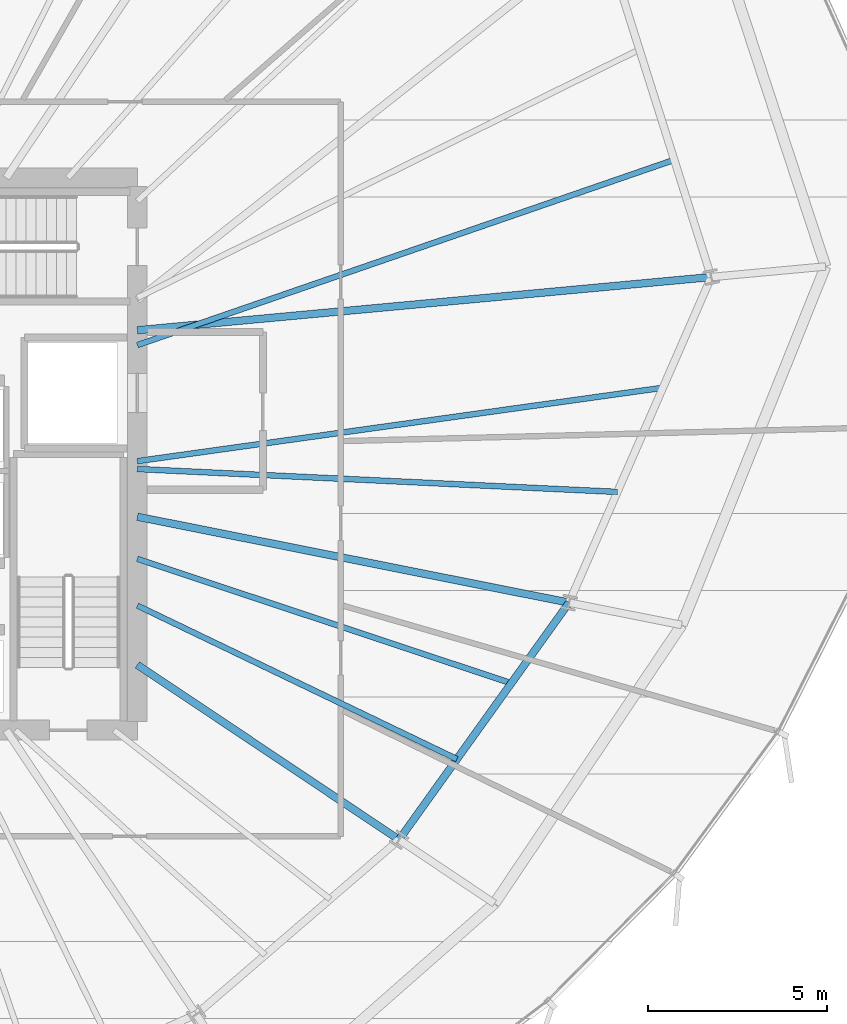
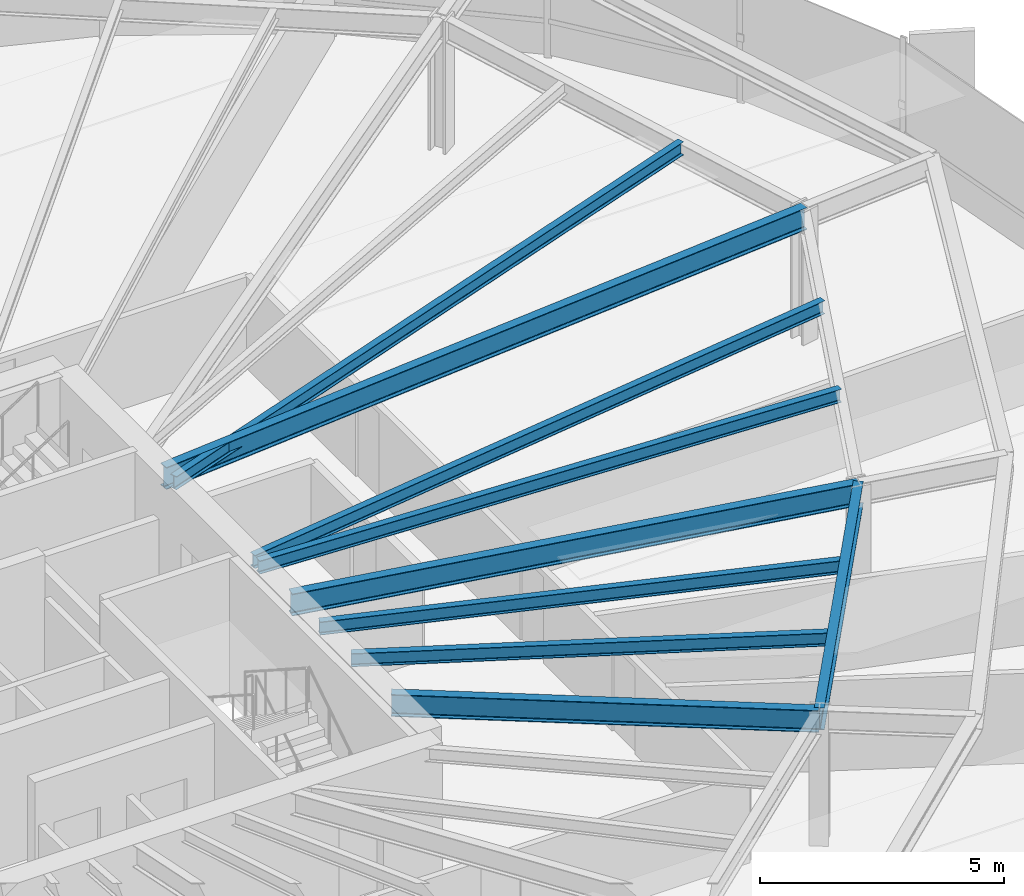
# One storey, part 15 of 35: 9 beams.
"""IFC4 building model written with IfcOpenShell, lengths in metres."""

from ifc_helpers import new_model, si_unit, direction, frame, origin, origin_2d, place, context, subcontext, project, spatial, i_section, extrude, source, transform, mapped, material, material_profile, profile_set, type_object, element, save


model = new_model("IFC4")

# Units and contexts
model_context = context("Model", 3, precision=1e-05, world=origin(), true_north=direction((0.0, 1.0)))
body_context = subcontext(model_context, "Body", "Model", "MODEL_VIEW")
ifc_project = project(units=[si_unit("LENGTHUNIT", "METRE"), si_unit("AREAUNIT", "SQUARE_METRE"), si_unit("VOLUMEUNIT", "CUBIC_METRE"), si_unit("PLANEANGLEUNIT", "RADIAN"), si_unit("MASSUNIT", "GRAM", prefix="KILO"), si_unit("THERMODYNAMICTEMPERATUREUNIT", "KELVIN")], contexts=[model_context])

# Site, building, storey
site_placement = place(None, origin())
site = spatial("IfcSite", under=ifc_project, at=site_placement, CompositionType="ELEMENT")
building_placement = place(site_placement, origin())
building = spatial("IfcBuilding", under=site, at=building_placement, Name="Kethvar Cultural Tower", CompositionType="ELEMENT")
storey_placement = place(building_placement, frame((0.0, 0.0, 103.60009765625)))
storey = spatial("IfcBuildingStorey", under=building, at=storey_placement, Name="L25", CompositionType="ELEMENT", Elevation=103.60009765625)

# Beams
ifc_material = material(Name="Steel S355J2", Category="steel")
ifc_material_profile_1 = material_profile(ifc_material, i_section(OverallWidth=0.2099609375, OverallDepth=0.550048828125, WebThickness=0.010986328125, FlangeThickness=0.01708984375, FilletRadius=0.02392578125, at=origin_2d()), Name="Steel S355J2 — IPE550")
ifc_profile_set_1 = profile_set([ifc_material_profile_1], Name="Steel S355J2 — IPE550")
beam_type_1 = type_object("IfcBeamType", Name="BM-IPE550", PredefinedType="BEAM", material=ifc_profile_set_1)
shared_shape_1 = source(origin(), body_context, "Body", "SweptSolid", [
    extrude(i_section(OverallWidth=0.2099609375, OverallDepth=0.550048828125, WebThickness=0.010986328125, FlangeThickness=0.01708984375, FilletRadius=0.02392578125, at=origin_2d()), origin(), (0.0, 0.0, 1.0), 16.071044921875),
])
beam_1_placement = place(storey_placement, frame((55.60009765625, 31.25, 3.072998046875), z_axis=(0.995731009363, 0.092302529718, 0.0), x_axis=(-0.092302529718, 0.995731009363, 0.0)))
element("IfcBeam", 1, at=beam_1_placement, inside=storey, type_object=beam_type_1, Name="L25 Primary Radial Beam RB-01", PredefinedType="BEAM", context=body_context, shape_type="MappedRepresentation", body=[
    mapped(shared_shape_1, transform((0.0, 0.0, 0.0), scale=1.0)),
])
shared_shape_2 = source(origin(), body_context, "Body", "SweptSolid", [
    extrude(i_section(OverallWidth=0.2099609375, OverallDepth=0.550048828125, WebThickness=0.010986328125, FlangeThickness=0.01708984375, FilletRadius=0.02392578125, at=origin_2d()), origin(), (0.0, 0.0, 1.0), 8.77783203125),
])
beam_2_placement = place(storey_placement, frame((55.60009765625, 21.919921875, 3.072998046875), z_axis=(0.831472186778, -0.555566380026, 0.0), x_axis=(0.555566380026, 0.831472186778, 0.0)))
element("IfcBeam", 2, at=beam_2_placement, inside=storey, type_object=beam_type_1, Name="L25 Primary Radial Beam RB-15", PredefinedType="BEAM", context=body_context, shape_type="MappedRepresentation", body=[
    mapped(shared_shape_2, transform((0.0, 0.0, 0.0), scale=1.0)),
])
shared_shape_3 = source(origin(), body_context, "Body", "SweptSolid", [
    extrude(i_section(OverallWidth=0.2099609375, OverallDepth=0.550048828125, WebThickness=0.010986328125, FlangeThickness=0.01708984375, FilletRadius=0.02392578125, at=origin_2d()), origin(), (0.0, 0.0, 1.0), 12.2744140625),
])
beam_3_placement = place(storey_placement, frame((55.60009765625, 26.049560546875, 3.072998046875), z_axis=(0.980782878234, -0.195102398146, 0.0), x_axis=(0.195102398146, 0.980782878234, 0.0)))
element("IfcBeam", 3, at=beam_3_placement, inside=storey, type_object=beam_type_1, Name="L25 Primary Radial Beam RB-16", PredefinedType="BEAM", context=body_context, shape_type="MappedRepresentation", body=[
    mapped(shared_shape_3, transform((0.0, 0.0, 0.0), scale=1.0)),
])
ifc_material_profile_2 = material_profile(ifc_material, i_section(OverallWidth=0.159912109375, OverallDepth=0.330078125, WebThickness=0.007568359375, FlangeThickness=0.011474609375, FilletRadius=0.01806640625, at=origin_2d()), Name="Steel S355J2 — IPE330")
ifc_profile_set_2 = profile_set([ifc_material_profile_2], Name="Steel S355J2 — IPE330")
beam_type_2 = type_object("IfcBeamType", Name="BM-J330", PredefinedType="JOIST", material=ifc_profile_set_2)
shared_shape_4 = source(origin(), body_context, "Body", "SweptSolid", [
    extrude(i_section(OverallWidth=0.159912109375, OverallDepth=0.330078125, WebThickness=0.007568359375, FlangeThickness=0.011474609375, FilletRadius=0.01806640625, at=origin_2d()), origin(), (0.0, 0.0, 1.0), 15.836669921875),
])
beam_4_placement = place(storey_placement, frame((55.60009765625, 30.836181640625, 3.182861328125), z_axis=(0.945315135904, 0.326158387644, 0.0), x_axis=(-0.326158387644, 0.945315135904, 0.0)))
element("IfcBeam", 4, at=beam_4_placement, inside=storey, type_object=beam_type_2, Name="L25 Composite Floor Joist J-01A", PredefinedType="JOIST", context=body_context, shape_type="MappedRepresentation", body=[
    mapped(shared_shape_4, transform((0.0, 0.0, 0.0), scale=1.0)),
])
shared_shape_5 = source(origin(), body_context, "Body", "SweptSolid", [
    extrude(i_section(OverallWidth=0.2099609375, OverallDepth=0.550048828125, WebThickness=0.010986328125, FlangeThickness=0.01708984375, FilletRadius=0.02392578125, at=origin_2d()), origin(), (0.0, 0.0, 1.0), 8.13525390625),
])
beam_5_placement = place(storey_placement, frame((62.898681640625, 17.043212890625, 3.072998046875), z_axis=(0.582656731995, 0.812718359988, 0.0), x_axis=(-0.812718359988, 0.582656731995, 0.0)))
element("IfcBeam", 5, at=beam_5_placement, inside=storey, type_object=beam_type_1, Name="L25 Column Ring Tie Beam CR-15", PredefinedType="BEAM", context=body_context, shape_type="MappedRepresentation", body=[
    mapped(shared_shape_5, transform((0.0, 0.0, 0.0), scale=1.0)),
])
shared_shape_6 = source(origin(), body_context, "Body", "SweptSolid", [
    extrude(i_section(OverallWidth=0.159912109375, OverallDepth=0.330078125, WebThickness=0.007568359375, FlangeThickness=0.011474609375, FilletRadius=0.01806640625, at=origin_2d()), origin(), (0.0, 0.0, 1.0), 9.885009765625),
])
beam_6_placement = place(storey_placement, frame((55.60009765625, 23.572021484375, 3.182861328125), z_axis=(0.901369611334, -0.43305060185, 0.0), x_axis=(0.43305060185, 0.901369611334, 0.0)))
element("IfcBeam", 6, at=beam_6_placement, inside=storey, type_object=beam_type_2, Name="L25 Composite Floor Joist J-15A", PredefinedType="JOIST", context=body_context, shape_type="MappedRepresentation", body=[
    mapped(shared_shape_6, transform((0.0, 0.0, 0.0), scale=1.0)),
])
shared_shape_7 = source(origin(), body_context, "Body", "SweptSolid", [
    extrude(i_section(OverallWidth=0.159912109375, OverallDepth=0.330078125, WebThickness=0.007568359375, FlangeThickness=0.011474609375, FilletRadius=0.01806640625, at=origin_2d()), origin(), (0.0, 0.0, 1.0), 10.98828125),
])
beam_7_placement = place(storey_placement, frame((55.60009765625, 24.8740234375, 3.182861328125), z_axis=(0.948918548228, -0.315521138481, 0.0), x_axis=(0.315521138481, 0.948918548228, 0.0)))
element("IfcBeam", 7, at=beam_7_placement, inside=storey, type_object=beam_type_2, Name="L25 Composite Floor Joist J-15B", PredefinedType="JOIST", context=body_context, shape_type="MappedRepresentation", body=[
    mapped(shared_shape_7, transform((0.0, 0.0, 0.0), scale=1.0)),
])
shared_shape_8 = source(origin(), body_context, "Body", "SweptSolid", [
    extrude(i_section(OverallWidth=0.159912109375, OverallDepth=0.330078125, WebThickness=0.007568359375, FlangeThickness=0.011474609375, FilletRadius=0.01806640625, at=origin_2d()), origin(), (0.0, 0.0, 1.0), 13.4013671875),
])
beam_8_placement = place(storey_placement, frame((55.60009765625, 27.380126953125, 3.182861328125), z_axis=(0.998864631653, -0.047638719894, 0.0), x_axis=(0.047638719894, 0.998864631653, 0.0)))
element("IfcBeam", 8, at=beam_8_placement, inside=storey, type_object=beam_type_2, Name="L25 Composite Floor Joist J-16A", PredefinedType="JOIST", context=body_context, shape_type="MappedRepresentation", body=[
    mapped(shared_shape_8, transform((0.0, 0.0, 0.0), scale=1.0)),
])
shared_shape_9 = source(origin(), body_context, "Body", "SweptSolid", [
    extrude(i_section(OverallWidth=0.159912109375, OverallDepth=0.330078125, WebThickness=0.007568359375, FlangeThickness=0.011474609375, FilletRadius=0.01806640625, at=origin_2d()), origin(), (0.0, 0.0, 1.0), 14.797119140625),
])
beam_9_placement = place(storey_placement, frame((55.60009765625, 27.60009765625, 3.182861328125), z_axis=(0.990388450305, 0.138313836986, 0.0), x_axis=(-0.138313836986, 0.990388450305, 0.0)))
element("IfcBeam", 9, at=beam_9_placement, inside=storey, type_object=beam_type_2, Name="L25 Composite Floor Joist J-16B", PredefinedType="JOIST", context=body_context, shape_type="MappedRepresentation", body=[
    mapped(shared_shape_9, transform((0.0, 0.0, 0.0), scale=1.0)),
])

save(model, "model.ifc")
